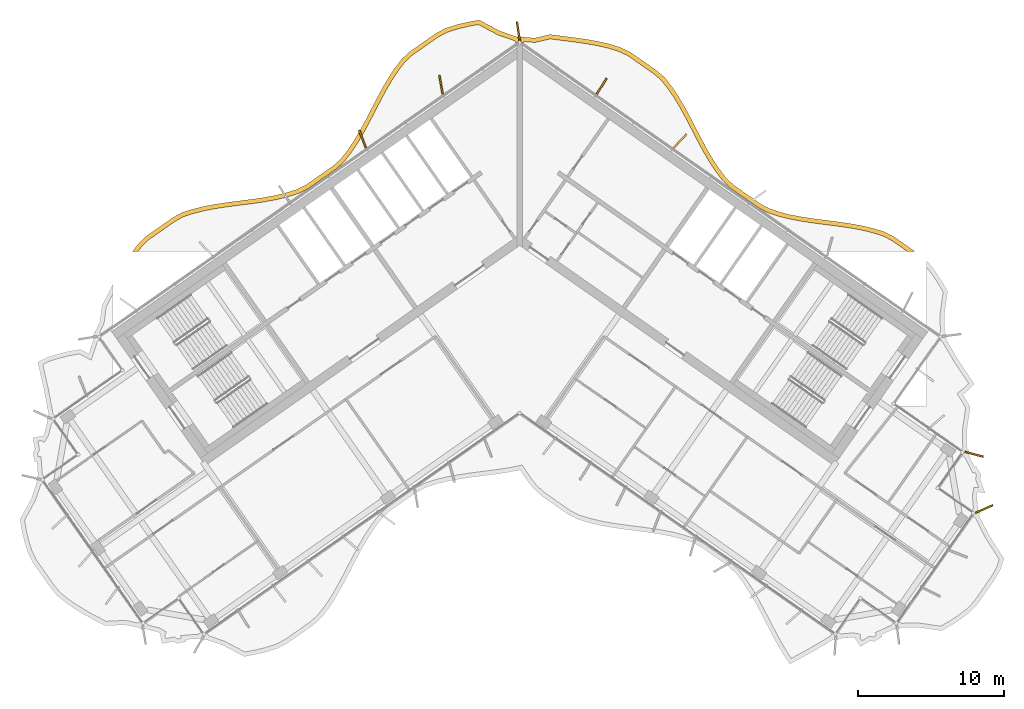
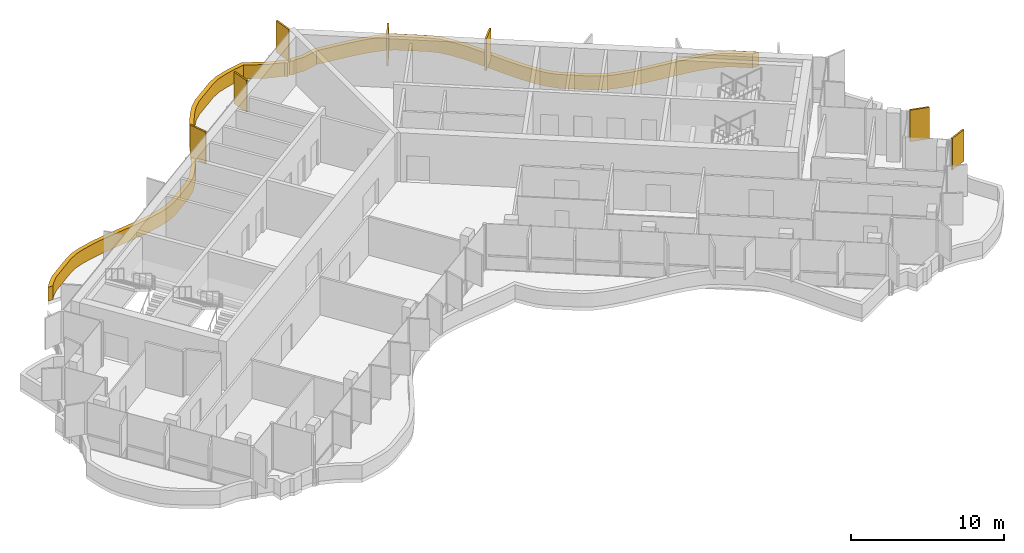
# One storey, part 18 of 18: 8 shading devices.
"""IFC4 building model written with IfcOpenShell, lengths in metres."""

import ifcopenshell
import ifcopenshell.guid

model = None  # the IFC model being written
_history = None  # IfcOwnerHistory: only IFC2X3 demands one
_inside = {}  # id of a spatial element -> (the spatial element, [elements in it])
_under = {}  # id of a project, library or spatial element -> (it, [spatial elements below it])
_declared = {}  # id of a project -> (the project, [libraries it declares])
_typed = {}  # id of a type object -> (the type object, [elements of that type])
_made_of = {}  # id of a material, layer set ... -> (it, [elements and type objects made of it])


def new_model(schema):
    """Start an empty IFC model of exactly this schema.

    Asked for "IFC4X3", IfcOpenShell would pick the latest addendum, in which some entities
    have other attributes; the version numbers below select the first issue.
    IFC2X3 requires an IfcOwnerHistory on every rooted entity: one is made here for all.
    """
    global model, _history
    if schema == "IFC4X3":
        model = ifcopenshell.file(schema_version=(4, 3, 0, 0))
    else:
        model = ifcopenshell.file(schema=schema)
    _inside.clear()
    _under.clear()
    _declared.clear()
    _typed.clear()
    _made_of.clear()
    _history = None
    if model.schema == "IFC2X3":
        org = make("IfcOrganization", Name="unknown")
        user = make(
            "IfcPersonAndOrganization",
            ThePerson=make("IfcPerson", FamilyName="unknown"),
            TheOrganization=org,
        )
        app = make(
            "IfcApplication",
            ApplicationDeveloper=org,
            Version="unknown",
            ApplicationFullName="unknown",
            ApplicationIdentifier="unknown",
        )
        _history = make(
            "IfcOwnerHistory",
            OwningUser=user,
            OwningApplication=app,
            ChangeAction="ADDED",
            CreationDate=0,
        )
    return model


def make(cls, **values):
    """One entity of the class cls with the attributes given. An attribute that is None is left unset."""
    return model.create_entity(
        cls, **{name: value for name, value in values.items() if value is not None}
    )


def rooted(cls, **values):
    """An entity with a GlobalId (a new one), such as an element, a storey or a relation."""
    return make(cls, GlobalId=ifcopenshell.guid.new(), OwnerHistory=_history, **values)


def si_unit(unit_type, name, prefix=None):
    """IfcSIUnit, for example si_unit("LENGTHUNIT", "METRE", prefix="MILLI")."""
    return make("IfcSIUnit", UnitType=unit_type, Prefix=prefix, Name=name)


def assignment(units):
    """IfcUnitAssignment: the units of a project."""
    return None if units is None else make("IfcUnitAssignment", Units=units)


def point(xyz):
    """IfcCartesianPoint."""
    return None if xyz is None else make("IfcCartesianPoint", Coordinates=xyz)


def direction(xyz):
    """IfcDirection."""
    return None if xyz is None else make("IfcDirection", DirectionRatios=xyz)


def frame(location, z_axis=None, x_axis=None):
    """IfcAxis2Placement3D, a coordinate frame: its origin and axes. An axis left out is left unset."""
    return make(
        "IfcAxis2Placement3D",
        Location=point(location),
        Axis=direction(z_axis),
        RefDirection=direction(x_axis),
    )


def frame_2d(location, x_axis=None):
    """IfcAxis2Placement2D, a coordinate frame in the plane: its origin and x axis."""
    return make(
        "IfcAxis2Placement2D", Location=point(location), RefDirection=direction(x_axis)
    )


def origin():
    """The frame at (0, 0, 0) with its axes left unset."""
    return frame((0.0, 0.0, 0.0))


def origin_2d():
    """The frame at (0, 0) in the plane with its x axis left unset."""
    return frame_2d((0.0, 0.0))


def place(relative_to, where):
    """IfcLocalPlacement: puts the frame where relative to a parent placement (None: the world)."""
    return make(
        "IfcLocalPlacement", PlacementRelTo=relative_to, RelativePlacement=where
    )


def context(
    kind, dimensions, precision=None, world=None, true_north=None, identifier=None
):
    """IfcGeometricRepresentationContext, for example the 3D "Model" context."""
    return make(
        "IfcGeometricRepresentationContext",
        ContextIdentifier=identifier,
        ContextType=kind,
        CoordinateSpaceDimension=dimensions,
        Precision=precision,
        WorldCoordinateSystem=world,
        TrueNorth=true_north,
    )


def subcontext(parent, identifier, kind, view, scale=None):
    """IfcGeometricRepresentationSubContext, for example "Body" below "Model"."""
    return make(
        "IfcGeometricRepresentationSubContext",
        ContextIdentifier=identifier,
        ContextType=kind,
        ParentContext=parent,
        TargetScale=scale,
        TargetView=view,
    )


def project(units=None, contexts=None):
    """IfcProject with its units and contexts."""
    return rooted(
        "IfcProject",
        Name="project",
        RepresentationContexts=contexts,
        UnitsInContext=assignment(units),
    )


def spatial(cls, under=None, at=None, **own):
    """A site, building, storey or space (cls), placed at a placement, below another one or the project."""
    s = rooted(cls, ObjectPlacement=at, **own)
    if under is not None:
        _under.setdefault(under.id(), (under, []))[1].append(s)
    return s


def polyline(points):
    """IfcPolyline through the points."""
    return make("IfcPolyline", Points=[point(p) for p in points])


def profile(cls, at=None, kind="AREA", **sizes):
    """A parametric profile (cls). Its sizes go by their IFC names, for example OverallWidth=200.0."""
    return make(cls, ProfileType=kind, Position=at, **sizes)


def rectangle(**sizes):
    """IfcRectangleProfileDef."""
    return profile("IfcRectangleProfileDef", **sizes)


def outline(outer, holes=None, kind="AREA"):
    """IfcArbitraryClosedProfileDef: a profile drawn as a closed curve; with holes, ...WithVoids."""
    if holes is None:
        return make("IfcArbitraryClosedProfileDef", ProfileType=kind, OuterCurve=outer)
    return make(
        "IfcArbitraryProfileDefWithVoids",
        ProfileType=kind,
        OuterCurve=outer,
        InnerCurves=holes,
    )


def extrude(swept, where, along, depth):
    """IfcExtrudedAreaSolid: the profile swept, set in the frame where, extruded along a direction by depth."""
    return make(
        "IfcExtrudedAreaSolid",
        SweptArea=swept,
        Position=where,
        ExtrudedDirection=direction(along),
        Depth=depth,
    )


def shape(context_of_items, identifier, shape_type, items):
    """IfcShapeRepresentation: the items that make up one representation, for example the "Body"."""
    return make(
        "IfcShapeRepresentation",
        ContextOfItems=context_of_items,
        RepresentationIdentifier=identifier,
        RepresentationType=shape_type,
        Items=items,
    )


def material(Name=None, Category=None):
    """IfcMaterial."""
    return make("IfcMaterial", Name=Name, Category=Category)


def layer(
    of_material, thickness, ventilated=None, Name=None, Category=None, Priority=None
):
    """IfcMaterialLayer: one layer of a wall or slab, of a material (None: an air gap)."""
    return make(
        "IfcMaterialLayer",
        Material=of_material,
        LayerThickness=thickness,
        IsVentilated=ventilated,
        Name=Name,
        Category=Category,
        Priority=Priority,
    )


def layer_set(layers, Name=None):
    """IfcMaterialLayerSet."""
    return make("IfcMaterialLayerSet", MaterialLayers=layers, LayerSetName=Name)


def made_of(thing, what):
    """Note that an element or type object is made of a material, layer set ...; save() writes the relation."""
    if what is not None:
        _made_of.setdefault(what.id(), (what, []))[1].append(thing)
    return thing


def type_object(cls, material=None, **own):
    """A type object (cls), such as IfcWallType, which elements share."""
    return made_of(rooted(cls, **own), material)


def element(
    cls,
    number,
    at=None,
    inside=None,
    cuts=None,
    type_object=None,
    material=None,
    context=None,
    identifier="Body",
    shape_type=None,
    held_by="IfcProductDefinitionShape",
    body=None,
    shapes=None,
    **own,
):
    """One element of the class cls, such as IfcWall. Its Tag is "e" and its number.

    at: its placement. inside: the storey or other place that contains it. cuts: it is an
    opening in that element (IfcRelVoidsElement). A single representation is given by context,
    identifier, shape_type and body (its items); several are given by shapes. held_by: the class
    of the entity that holds the representations. save() writes the other relations.
    """
    e = rooted(cls, Tag="e%d" % number, ObjectPlacement=at, **own)
    if body is not None:
        shapes = [shape(context, identifier, shape_type, body)]
    if shapes is not None:
        e.Representation = make(held_by, Representations=shapes)
    if inside is not None:
        _inside.setdefault(inside.id(), (inside, []))[1].append(e)
    if cuts is not None:
        rooted(
            "IfcRelVoidsElement", RelatingBuildingElement=cuts, RelatedOpeningElement=e
        )
    if type_object is not None:
        _typed.setdefault(type_object.id(), (type_object, []))[1].append(e)
    return made_of(e, material)


def aggregate(whole, parts):
    """IfcRelAggregates: a whole, such as a stair, and the parts it consists of."""
    return rooted("IfcRelAggregates", RelatingObject=whole, RelatedObjects=parts)


def save(model, path):
    """Write the relations noted so far, then the file.

    IfcRelAggregates (storeys below a building ...), IfcRelContainedInSpatialStructure (elements
    in a storey), IfcRelDefinesByType, IfcRelAssociatesMaterial and IfcRelDeclares: one each for
    every whole, place, type object, material and project.
    """
    for whole, parts in _under.values():
        aggregate(whole, parts)
    for where, things in _inside.values():
        rooted(
            "IfcRelContainedInSpatialStructure",
            RelatedElements=things,
            RelatingStructure=where,
        )
    for kind, things in _typed.values():
        rooted("IfcRelDefinesByType", RelatedObjects=things, RelatingType=kind)
    for what, things in _made_of.values():
        rooted("IfcRelAssociatesMaterial", RelatedObjects=things, RelatingMaterial=what)
    for by, libraries in _declared.values():
        rooted("IfcRelDeclares", RelatingContext=by, RelatedDefinitions=libraries)
    model.write(path)


model = new_model("IFC4")

# Units and contexts
model_context = context("Model", 3, precision=1e-05, world=origin(), true_north=direction((0.0, 1.0)))
body_context = subcontext(model_context, "Body", "Model", "MODEL_VIEW")
ifc_project = project(units=[si_unit("LENGTHUNIT", "METRE"), si_unit("AREAUNIT", "SQUARE_METRE"), si_unit("VOLUMEUNIT", "CUBIC_METRE"), si_unit("PLANEANGLEUNIT", "RADIAN"), si_unit("MASSUNIT", "GRAM", prefix="KILO")], contexts=[model_context])

# Site, building, storey
site_placement = place(None, origin())
site = spatial("IfcSite", under=ifc_project, at=site_placement, CompositionType="ELEMENT")
building_placement = place(site_placement, origin())
building = spatial("IfcBuilding", under=site, at=building_placement, Name="Tel Ilan Convention Tower", CompositionType="ELEMENT")
storey_placement = place(building_placement, frame((0.0, 0.0, 256.60009765625)))
storey = spatial("IfcBuildingStorey", under=building, at=storey_placement, Name="L60", CompositionType="ELEMENT", Elevation=256.60009765625)

# Shading devices
ifc_material_1 = material(Name="Aluminium, bronze anodised", Category="aluminium")
ifc_layer_1 = layer(ifc_material_1, 0.1201171875)
ifc_layer_set_1 = layer_set([ifc_layer_1], Name="FIN BRONZE 1300x120")
shading_device_type_1 = type_object("IfcShadingDeviceType", Name="FIN BRONZE 1300x120", PredefinedType="USERDEFINED", material=ifc_layer_set_1)
for number, where, z_axis, x_axis, name in (
    (1, (10.981201171875, 5.924072265625, 1.099853515625), (0.0, 0.0, 1.0), (0.686241637865, 0.727373641577, 0.0), "FIN"),
    (2, (5.61328125, 9.683349609375, 1.099853515625), (0.0, 0.0, 1.0), (0.533204432798, 0.845986425922, 0.0), "FIN"),
    (3, (-0.09423828125, 13.469482421875, 1.099853515625), (0.0, 0.0, 1.0), (-0.144931859301, 0.989441638582, 0.0), "FIN"),
    (4, (-5.392333984375, 9.791748046875, 1.099853515625), (0.0, 0.0, 1.0), (-0.173648177667, 0.984807753012, 0.0), "FIN"),
    (5, (-10.7724609375, 6.062255859375, 1.099853515625), (0.0, 0.0, 1.0), (-0.360177724803, 0.932883704733, 0.0), "FIN"),
    (6, (31.842529296875, -19.28564453125, 1.099853515625), (0.0, 0.0, 1.0), (0.914332505315, 0.404964282034, 0.0), "FIN"),
    (7, (31.150146484375, -15.536865234375, 1.099853515625), (0.0, 0.0, 1.0), (0.965925826289, -0.258819045103, 0.0), "FIN"),
):
    element("IfcShadingDevice", number, at=place(storey_placement, frame(where, z_axis=z_axis, x_axis=x_axis)), inside=storey, type_object=shading_device_type_1, Name=name, ObjectType="FIN", PredefinedType="USERDEFINED", context=body_context, shape_type="SweptSolid", body=[
        extrude(rectangle(XDim=1.300048828125, YDim=0.1201171875, at=origin_2d()), origin(), (0.0, 0.0, 1.0), 2.52001953125),
    ])
ifc_material_2 = material(Name="Aluminium, bronze anodised", Category="aluminium")
ifc_layer_2 = layer(ifc_material_2, 0.300048828125)
ifc_layer_set_2 = layer_set([ifc_layer_2], Name="LOUVRE BAND 300x1100")
shading_device_type_2 = type_object("IfcShadingDeviceType", Name="LOUVRE BAND 300x1100", PredefinedType="USERDEFINED", material=ifc_layer_set_2)
shading_device_placement = place(storey_placement, origin())
element("IfcShadingDevice", 8, at=shading_device_placement, inside=storey, type_object=shading_device_type_2, Name="LOUVRE BAND 46.02", ObjectType="LOUVRE", PredefinedType="USERDEFINED", context=body_context, shape_type="SweptSolid", body=[
    extrude(outline(polyline([(-26.1787109375, -1.1572265625), (-26.535888671875, -1.631591796875), (-26.160400390625, -1.631591796875), (-25.951416015625, -1.35400390625), (-25.457275390625, -0.856689453125), (-23.680908203125, 0.38720703125), (-23.075439453125, 0.7314453125), (-22.38525390625, 0.962158203125), (-21.640625, 1.14990234375), (-20.86181640625, 1.298828125), (-20.0576171875, 1.420166015625), (-18.409423828125, 1.63232421875), (-17.585205078125, 1.750732421875), (-16.773193359375, 1.89599609375), (-15.982666015625, 2.081298828125), (-15.212646484375, 2.320556640625), (-14.499267578125, 2.665771484375), (-12.656005859375, 3.956298828125), (-12.066162109375, 4.474609375), (-11.566650390625, 5.110107421875), (-11.115234375, 5.78173828125), (-10.696044921875, 6.4892578125), (-10.29931640625, 7.220458984375), (-9.535400390625, 8.69873046875), (-9.148681640625, 9.41796875), (-8.746337890625, 10.106201171875), (-8.320556640625, 10.751220703125), (-7.871337890625, 11.33544921875), (-7.3623046875, 11.813720703125), (-5.585693359375, 13.0576171875), (-4.96826171875, 13.382568359375), (-4.27001953125, 13.607666015625), (-3.520751953125, 13.78955078125), (-2.834228515625, 13.914794921875), (-1.477294921875, 13.19677734375), (-0.362060546875, 12.81201171875), (-0.24609375, 12.646728515625), (0.0, 12.818115234375), (0.24609375, 12.646728515625), (0.318603515625, 12.75), (1.040771484375, 12.687744140625), (2.10400390625, 12.9296875), (3.699462890625, 12.72509765625), (4.510009765625, 12.60986328125), (5.2978515625, 12.47119140625), (6.054443359375, 12.297119140625), (6.765625, 12.080078125), (7.40185546875, 11.785888671875), (9.17822265625, 10.5419921875), (9.708740234375, 10.0908203125), (10.16162109375, 9.521240234375), (10.5927734375, 8.885498046875), (10.9990234375, 8.204833984375), (11.38818359375, 7.49072265625), (12.151123046875, 6.014404296875), (12.54443359375, 5.2802734375), (12.958740234375, 4.567138671875), (13.403076171875, 3.8876953125), (13.891357421875, 3.245849609375), (14.459716796875, 2.693359375), (16.302978515625, 1.40283203125), (16.991455078125, 1.02587890625), (17.759521484375, 0.773681640625), (18.544921875, 0.579345703125), (19.353271484375, 0.42724609375), (20.176025390625, 0.3046875), (21.826416015625, 0.092529296875), (22.634765625, -0.025146484375), (23.4189453125, -0.167724609375), (24.1708984375, -0.34716796875), (24.873291015625, -0.569580078125), (25.496826171875, -0.88427734375), (26.56396484375, -1.631591796875), (27.087158203125, -1.631591796875), (25.6513671875, -0.626220703125), (24.987060546875, -0.290771484375), (24.2509765625, -0.057861328125), (23.480712890625, 0.1259765625), (22.68310546875, 0.27099609375), (21.8671875, 0.3896484375), (20.21728515625, 0.601806640625), (19.4033203125, 0.72314453125), (18.60888671875, 0.87255859375), (17.842529296875, 1.062255859375), (17.111328125, 1.30224609375), (16.46142578125, 1.657958984375), (14.6513671875, 2.92529296875), (14.116455078125, 3.4453125), (13.648193359375, 4.060791015625), (13.214111328125, 4.724609375), (12.806396484375, 5.426513671875), (12.416748046875, 6.154052734375), (11.653076171875, 7.631591796875), (11.259521484375, 8.353515625), (10.845947265625, 9.046875), (10.403564453125, 9.69921875), (9.925537109375, 10.300537109375), (9.36181640625, 10.77978515625), (7.552001953125, 12.047119140625), (6.872802734375, 12.361083984375), (6.132080078125, 12.587158203125), (5.357666015625, 12.765380859375), (4.55712890625, 12.90625), (3.739501953125, 13.0224609375), (2.08935546875, 13.234130859375), (1.02001953125, 12.99072265625), (0.168701171875, 13.059326171875), (0.11474609375, 13.09521484375), (0.0, 13.1181640625), (-0.11474609375, 13.09521484375), (-0.168701171875, 13.059326171875), (-1.357666015625, 13.472900390625), (-2.785888671875, 14.228515625), (-3.5830078125, 14.083251953125), (-4.3515625, 13.896484375), (-5.0849609375, 13.66015625), (-5.7421875, 13.314453125), (-7.552001953125, 12.047119140625), (-8.09423828125, 11.53759765625), (-8.56494140625, 10.925537109375), (-9.001220703125, 10.264404296875), (-9.410400390625, 9.564697265625), (-9.801025390625, 8.838623046875), (-10.564453125, 7.36083984375), (-10.95703125, 6.63720703125), (-11.369140625, 5.94189453125), (-11.809326171875, 5.28662109375), (-12.284912109375, 4.681640625), (-12.841552734375, 4.192626953125), (-14.6513671875, 2.92529296875), (-15.3232421875, 2.6005859375), (-16.0615234375, 2.370849609375), (-16.833984375, 2.18994140625), (-17.6328125, 2.046875), (-18.44970703125, 1.9296875), (-20.099365234375, 1.71728515625), (-20.91259765625, 1.594482421875), (-21.705322265625, 1.44287109375), (-22.4697265625, 1.250244140625), (-23.1982421875, 1.0068359375), (-23.84130859375, 0.64111328125), (-25.6513671875, -0.626220703125), (-26.1787109375, -1.1572265625)])), origin(), (0.0, 0.0, 1.0), 1.099853515625),
])

save(model, "model.ifc")
